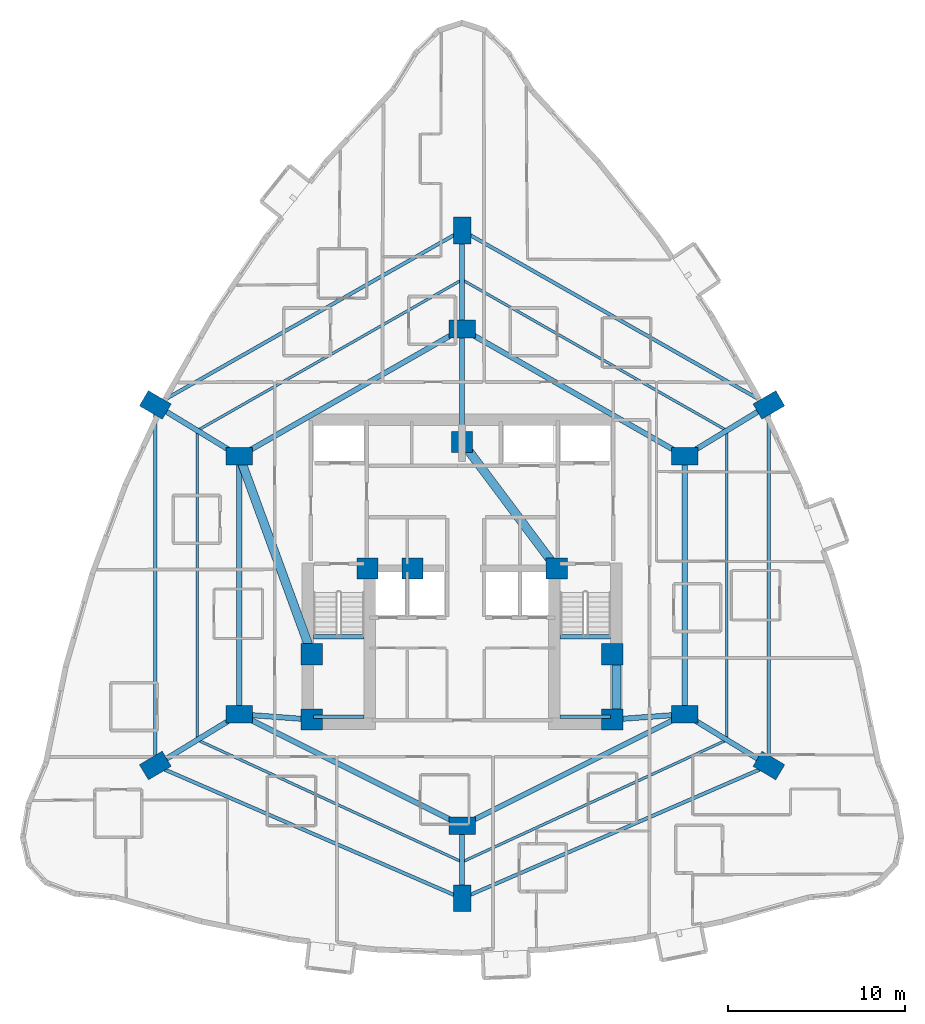
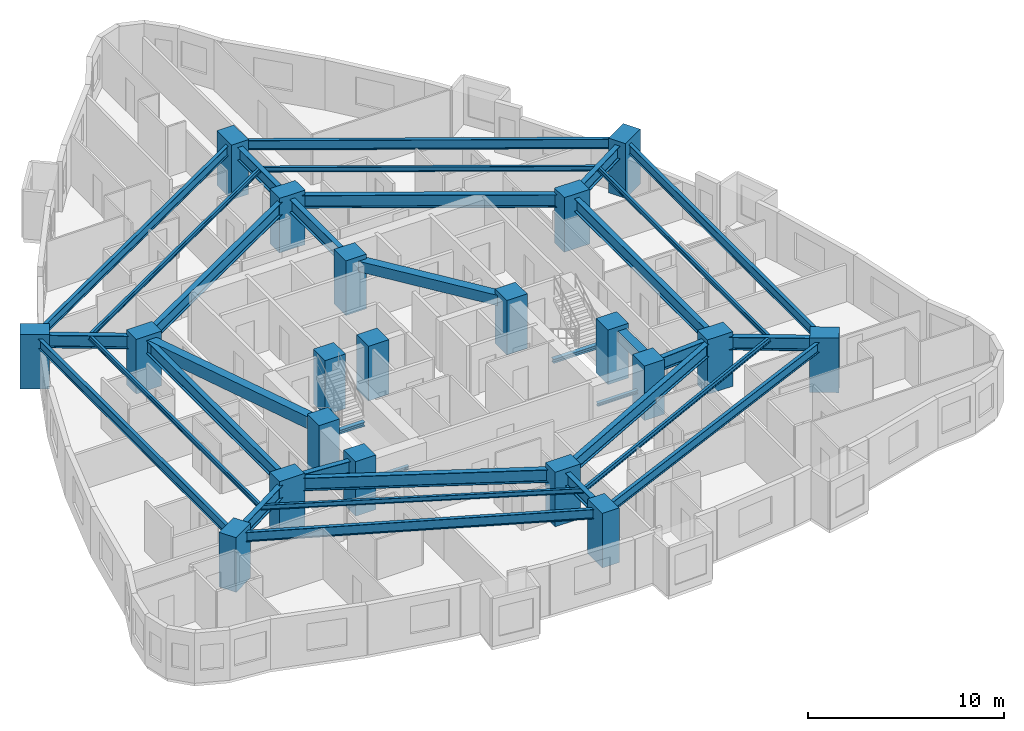
# One storey, part 1 of 16: 34 beams, 20 columns.
"""IFC4 building model written with IfcOpenShell, lengths in metres."""

from ifc_helpers import new_model, si_unit, direction, frame, origin, origin_2d, place, context, subcontext, project, spatial, rectangle, i_section, extrude, material, material_profile, profile_set, type_object, element, save


model = new_model("IFC4")

# Units and contexts
model_context = context("Model", 3, precision=1e-05, world=origin(), true_north=direction((0.0, 1.0)))
body_context = subcontext(model_context, "Body", "Model", "MODEL_VIEW")
ifc_project = project(units=[si_unit("LENGTHUNIT", "METRE"), si_unit("AREAUNIT", "SQUARE_METRE"), si_unit("VOLUMEUNIT", "CUBIC_METRE"), si_unit("PLANEANGLEUNIT", "RADIAN"), si_unit("MASSUNIT", "GRAM", prefix="KILO")], contexts=[model_context])

# Site, building, storey
site_placement = place(None, origin())
site = spatial("IfcSite", under=ifc_project, at=site_placement, CompositionType="ELEMENT")
building_placement = place(site_placement, origin())
building = spatial("IfcBuilding", under=site, at=building_placement, Name="Miruveldt Soraemaru", CompositionType="ELEMENT")
storey_placement = place(building_placement, frame((0.0, 0.0, 42.800048828125)))
storey = spatial("IfcBuildingStorey", under=building, at=storey_placement, Name="L11", CompositionType="ELEMENT", Elevation=42.800048828125)

# Columns
ifc_material_1 = material(Name="Concrete C70/85 (70 MPa)", Category="concrete")
ifc_material_profile_1 = material_profile(ifc_material_1, rectangle(XDim=1.199951171875, YDim=1.199951171875, at=origin_2d()), Name="Concrete C70/85 (70 MPa)", Category="concrete")
ifc_profile_set_1 = profile_set([ifc_material_profile_1], Name="Concrete C70/85 (70 MPa)")
column_type_1 = type_object("IfcColumnType", Name="COL-CORE-1200", PredefinedType="COLUMN", material=ifc_profile_set_1)
for number, where, z_axis, x_axis, name in (
    (1, (35.5, 35.5, 0.0), (0.0, 0.0, 1.0), (1.0, 0.0, 0.0), "L11 Structural Column CC1"),
    (2, (38.64990234375, 44.050048828125, 0.0), (0.0, 0.0, 1.0), (1.0, 0.0, 0.0), "L11 Structural Column CC2"),
    (3, (52.5, 35.5, 0.0), (0.0, 0.0, 1.0), (1.0, 0.0, 0.0), "L11 Structural Column CC3"),
    (4, (52.5, 39.199951171875, 0.0), (0.0, 0.0, 1.0), (1.0, 0.0, 0.0), "L11 Structural Column CC4"),
    (5, (49.35009765625, 44.050048828125, 0.0), (0.0, 0.0, 1.0), (1.0, 0.0, 0.0), "L11 Structural Column CC5"),
    (6, (44.0, 51.199951171875, 0.0), (0.0, 0.0, 1.0), (1.0, 0.0, 0.0), "L11 Structural Column CC6"),
    (7, (35.5, 39.199951171875, 0.0), (0.0, 0.0, 1.0), (1.0, 0.0, 0.0), "L11 Structural Column CC7"),
    (8, (41.199951171875, 44.050048828125, 0.0), (0.0, 0.0, 1.0), (1.0, 0.0, 0.0), "L11 Structural Column CC8"),
):
    element("IfcColumn", number, at=place(storey_placement, frame(where, z_axis=z_axis, x_axis=x_axis)), inside=storey, type_object=column_type_1, Name=name, PredefinedType="COLUMN", context=body_context, shape_type="SweptSolid", body=[
        extrude(rectangle(XDim=1.199951171875, YDim=1.199951171875, at=origin_2d()), origin(), (0.0, 0.0, 1.0), 3.39990234375),
    ])
ifc_material_2 = material(Name="Concrete C80/95 (80 MPa)", Category="concrete")
ifc_material_profile_2 = material_profile(ifc_material_2, rectangle(XDim=1.5, YDim=1.0, at=origin_2d()), Name="Concrete C80/95 (80 MPa)", Category="concrete")
ifc_profile_set_2 = profile_set([ifc_material_profile_2], Name="Concrete C80/95 (80 MPa)")
column_type_2 = type_object("IfcColumnType", Name="COL-TW-Z1A", PredefinedType="COLUMN", material=ifc_profile_set_2)
for number, where, z_axis, x_axis, name in (
    (9, (44.0, 57.60009765625, 0.0), (0.0, 0.0, 1.0), (1.0, 0.0, 0.0), "L11 Structural Column IR01"),
    (10, (56.60009765625, 50.39990234375, 0.0), (0.0, 0.0, 1.0), (1.0, 0.0, 0.0), "L11 Structural Column IR02"),
    (11, (56.60009765625, 35.800048828125, 0.0), (0.0, 0.0, 1.0), (1.0, 0.0, 0.0), "L11 Structural Column IR03"),
    (12, (44.0, 29.5, 0.0), (0.0, 0.0, 1.0), (1.0, 0.0, 0.0), "L11 Structural Column IR04"),
    (13, (31.39990234375, 35.800048828125, 0.0), (0.0, 0.0, 1.0), (1.0, 0.0, 0.0), "L11 Structural Column IR05"),
    (14, (31.39990234375, 50.39990234375, 0.0), (0.0, 0.0, 1.0), (1.0, 0.0, 0.0), "L11 Structural Column IR06"),
    (15, (44.0, 63.16796875, 0.0), (0.0, 0.0, 1.0), (0.0, 1.0, 0.0), "L11 Structural Column Z1P01"),
    (16, (61.35595703125, 53.300048828125, 0.0), (0.0, 0.0, 1.0), (0.864274801954, 0.50301994663, 0.0), "L11 Structural Column Z1P02"),
    (17, (61.35595703125, 32.89990234375, 0.0), (0.0, 0.0, 1.0), (-0.859852271597, 0.510542917912, 0.0), "L11 Structural Column Z1P03"),
    (18, (44.0, 25.382080078125, 0.0), (0.0, 0.0, 1.0), (0.0, 1.0, 0.0), "L11 Structural Column Z1P04"),
    (19, (26.64404296875, 32.89990234375, 0.0), (0.0, 0.0, 1.0), (0.859852271597, 0.510542917912, 0.0), "L11 Structural Column Z1P05"),
    (20, (26.64404296875, 53.300048828125, 0.0), (0.0, 0.0, 1.0), (-0.864274801954, 0.50301994663, 0.0), "L11 Structural Column Z1P06"),
):
    element("IfcColumn", number, at=place(storey_placement, frame(where, z_axis=z_axis, x_axis=x_axis)), inside=storey, type_object=column_type_2, Name=name, PredefinedType="COLUMN", context=body_context, shape_type="SweptSolid", body=[
        extrude(rectangle(XDim=1.5, YDim=1.0, at=origin_2d()), origin(), (0.0, 0.0, 1.0), 3.39990234375),
    ])

# Beams
ifc_material_3 = material(Name="Concrete C50/60 (50 MPa)", Category="concrete")
ifc_material_profile_3 = material_profile(ifc_material_3, rectangle(XDim=0.5, YDim=0.64990234375, at=origin_2d()), Name="Concrete C50/60 (50 MPa)", Category="concrete")
ifc_profile_set_3 = profile_set([ifc_material_profile_3], Name="Concrete C50/60 (50 MPa)")
beam_type_1 = type_object("IfcBeamType", Name="BM-RC-500x650", PredefinedType="BEAM", material=ifc_profile_set_3)
beam_1_placement = place(storey_placement, frame((52.72998046875, 35.5, 2.800048828125), z_axis=(0.0, 1.0, 0.0), x_axis=(-1.0, 0.0, 0.0)))
element("IfcBeam", 21, at=beam_1_placement, inside=storey, type_object=beam_type_1, Name="L11 Core Tie Beam 3", PredefinedType="BEAM", context=body_context, shape_type="SweptSolid", body=[
    extrude(rectangle(XDim=0.5, YDim=0.64990234375, at=origin_2d()), origin(), (0.0, 0.0, 1.0), 3.699951171875),
])
beam_2_placement = place(storey_placement, frame((49.35009765625, 44.050048828125, 2.800048828125), z_axis=(-0.599116023999, 0.800662219533, 0.0), x_axis=(-0.800662219533, -0.599116023999, 0.0)))
element("IfcBeam", 22, at=beam_2_placement, inside=storey, type_object=beam_type_1, Name="L11 Core Tie Beam 5", PredefinedType="BEAM", context=body_context, shape_type="SweptSolid", body=[
    extrude(rectangle(XDim=0.5, YDim=0.64990234375, at=origin_2d()), origin(), (0.0, 0.0, 1.0), 8.929931640625),
])
ifc_material_4 = material(Name="Concrete C40/50 (40 MPa)", Category="concrete")
ifc_material_profile_4 = material_profile(ifc_material_4, rectangle(XDim=0.5, YDim=0.75, at=origin_2d()), Name="Concrete C40/50 (40 MPa)", Category="concrete")
ifc_profile_set_4 = profile_set([ifc_material_profile_4], Name="Concrete C40/50 (40 MPa)")
beam_type_2 = type_object("IfcBeamType", Name="BM-RC-500x750", PredefinedType="LINTEL", material=ifc_profile_set_4)
beam_3_placement = place(storey_placement, frame((31.39990234375, 50.39990234375, 2.75), z_axis=(0.343770424598, -0.939053723262, 0.0), x_axis=(0.939053723262, 0.343770424598, 0.0)))
element("IfcBeam", 23, at=beam_3_placement, inside=storey, type_object=beam_type_2, Name="L11 West Lobby Lintel", PredefinedType="LINTEL", context=body_context, shape_type="SweptSolid", body=[
    extrude(rectangle(XDim=0.5, YDim=0.75, at=origin_2d()), origin(), (0.0, 0.0, 1.0), 11.9267578125),
])
ifc_material_5 = material(Name="Steel SM355 (355 MPa)", Category="steel")
ifc_material_profile_5 = material_profile(ifc_material_5, i_section(OverallWidth=0.14990234375, OverallDepth=0.300048828125, WebThickness=0.006591796875, FlangeThickness=0.009033203125, FilletRadius=0.012939453125, at=origin_2d()), Name="Steel SM355 (355 MPa)", Category="steel")
ifc_profile_set_5 = profile_set([ifc_material_profile_5], Name="Steel SM355 (355 MPa)")
beam_type_3 = type_object("IfcBeamType", Name="BM-ST-H300", PredefinedType="JOIST", material=ifc_profile_set_5)
beam_4_placement = place(storey_placement, frame((44.0, 60.384033203125, 2.974853515625), z_axis=(0.868865604585, -0.495048039254, 0.0), x_axis=(0.495048039254, 0.868865604585, 0.0)))
element("IfcBeam", 24, at=beam_4_placement, inside=storey, type_object=beam_type_3, Name="L11 Outer Bay Floor Joist 1", PredefinedType="JOIST", context=body_context, shape_type="SweptSolid", body=[
    extrude(i_section(OverallWidth=0.14990234375, OverallDepth=0.300048828125, WebThickness=0.006591796875, FlangeThickness=0.009033203125, FilletRadius=0.012939453125, at=origin_2d()), origin(), (0.0, 0.0, 1.0), 17.238525390625),
])
beam_5_placement = place(storey_placement, frame((58.97802734375, 51.85009765625, 2.974853515625), z_axis=(0.0, -1.0, 0.0), x_axis=(1.0, 0.0, 0.0)))
element("IfcBeam", 25, at=beam_5_placement, inside=storey, type_object=beam_type_3, Name="L11 Outer Bay Floor Joist 2", PredefinedType="JOIST", context=body_context, shape_type="SweptSolid", body=[
    extrude(i_section(OverallWidth=0.14990234375, OverallDepth=0.300048828125, WebThickness=0.006591796875, FlangeThickness=0.009033203125, FilletRadius=0.012939453125, at=origin_2d()), origin(), (0.0, 0.0, 1.0), 17.5),
])
for number, where, z_axis, x_axis, name in (
    (26, (58.97802734375, 34.35009765625, 2.974853515625), (-0.908046005539, -0.418870447543, 0.0), (0.418870447543, -0.908046005539, 0.0), "L11 Outer Bay Floor Joist 3"),
    (27, (44.0, 27.44091796875, 2.974853515625), (-0.908046005539, 0.418870447543, 0.0), (-0.418870447543, -0.908046005539, 0.0), "L11 Outer Bay Floor Joist 4"),
):
    element("IfcBeam", number, at=place(storey_placement, frame(where, z_axis=z_axis, x_axis=x_axis)), inside=storey, type_object=beam_type_3, Name=name, PredefinedType="JOIST", context=body_context, shape_type="SweptSolid", body=[
        extrude(i_section(OverallWidth=0.14990234375, OverallDepth=0.300048828125, WebThickness=0.006591796875, FlangeThickness=0.009033203125, FilletRadius=0.012939453125, at=origin_2d()), origin(), (0.0, 0.0, 1.0), 16.494873046875),
    ])
beam_6_placement = place(storey_placement, frame((29.02197265625, 34.35009765625, 2.974853515625), z_axis=(0.0, 1.0, 0.0), x_axis=(-1.0, 0.0, 0.0)))
element("IfcBeam", 28, at=beam_6_placement, inside=storey, type_object=beam_type_3, Name="L11 Outer Bay Floor Joist 5", PredefinedType="JOIST", context=body_context, shape_type="SweptSolid", body=[
    extrude(i_section(OverallWidth=0.14990234375, OverallDepth=0.300048828125, WebThickness=0.006591796875, FlangeThickness=0.009033203125, FilletRadius=0.012939453125, at=origin_2d()), origin(), (0.0, 0.0, 1.0), 17.5),
])
beam_7_placement = place(storey_placement, frame((29.02197265625, 51.85009765625, 2.974853515625), z_axis=(0.868865604585, 0.495048039254, 0.0), x_axis=(-0.495048039254, 0.868865604585, 0.0)))
element("IfcBeam", 29, at=beam_7_placement, inside=storey, type_object=beam_type_3, Name="L11 Outer Bay Floor Joist 6", PredefinedType="JOIST", context=body_context, shape_type="SweptSolid", body=[
    extrude(i_section(OverallWidth=0.14990234375, OverallDepth=0.300048828125, WebThickness=0.006591796875, FlangeThickness=0.009033203125, FilletRadius=0.012939453125, at=origin_2d()), origin(), (0.0, 0.0, 1.0), 17.238525390625),
])
ifc_material_profile_6 = material_profile(ifc_material_5, i_section(OverallWidth=0.199951171875, OverallDepth=0.60009765625, WebThickness=0.010986328125, FlangeThickness=0.01708984375, FilletRadius=0.02197265625, at=origin_2d()), Name="Steel SM355 (355 MPa)", Category="steel")
ifc_profile_set_6 = profile_set([ifc_material_profile_6], Name="Steel SM355 (355 MPa)")
beam_type_4 = type_object("IfcBeamType", Name="BM-ST-H600", PredefinedType="SPANDREL", material=ifc_profile_set_6)
beam_8_placement = place(storey_placement, frame((44.0, 63.16796875, 2.824951171875), z_axis=(0.869314947608, -0.494258557706, 0.0), x_axis=(0.494258557706, 0.869314947608, 0.0)))
element("IfcBeam", 30, at=beam_8_placement, inside=storey, type_object=beam_type_4, Name="L11 Zone-1 Spandrel Beam 1", PredefinedType="SPANDREL", context=body_context, shape_type="SweptSolid", body=[
    extrude(i_section(OverallWidth=0.199951171875, OverallDepth=0.60009765625, WebThickness=0.010986328125, FlangeThickness=0.01708984375, FilletRadius=0.02197265625, at=origin_2d()), origin(), (0.0, 0.0, 1.0), 19.965087890625),
])
beam_9_placement = place(storey_placement, frame((61.35595703125, 53.300048828125, 2.824951171875), z_axis=(0.0, -1.0, 0.0), x_axis=(1.0, 0.0, 0.0)))
element("IfcBeam", 31, at=beam_9_placement, inside=storey, type_object=beam_type_4, Name="L11 Zone-1 Spandrel Beam 2", PredefinedType="SPANDREL", context=body_context, shape_type="SweptSolid", body=[
    extrude(i_section(OverallWidth=0.199951171875, OverallDepth=0.60009765625, WebThickness=0.010986328125, FlangeThickness=0.01708984375, FilletRadius=0.02197265625, at=origin_2d()), origin(), (0.0, 0.0, 1.0), 20.400146484375),
])
for number, where, z_axis, x_axis, name in (
    (32, (61.35595703125, 32.89990234375, 2.824951171875), (-0.917615263736, -0.397469782195, 0.0), (0.397469782195, -0.917615263736, 0.0), "L11 Zone-1 Spandrel Beam 3"),
    (33, (44.0, 25.382080078125, 2.824951171875), (-0.917615263736, 0.397469782195, 0.0), (-0.397469782195, -0.917615263736, 0.0), "L11 Zone-1 Spandrel Beam 4"),
):
    element("IfcBeam", number, at=place(storey_placement, frame(where, z_axis=z_axis, x_axis=x_axis)), inside=storey, type_object=beam_type_4, Name=name, PredefinedType="SPANDREL", context=body_context, shape_type="SweptSolid", body=[
        extrude(i_section(OverallWidth=0.199951171875, OverallDepth=0.60009765625, WebThickness=0.010986328125, FlangeThickness=0.01708984375, FilletRadius=0.02197265625, at=origin_2d()), origin(), (0.0, 0.0, 1.0), 18.914306640625),
    ])
beam_10_placement = place(storey_placement, frame((26.64404296875, 32.89990234375, 2.824951171875), z_axis=(0.0, 1.0, 0.0), x_axis=(-1.0, 0.0, 0.0)))
element("IfcBeam", 34, at=beam_10_placement, inside=storey, type_object=beam_type_4, Name="L11 Zone-1 Spandrel Beam 5", PredefinedType="SPANDREL", context=body_context, shape_type="SweptSolid", body=[
    extrude(i_section(OverallWidth=0.199951171875, OverallDepth=0.60009765625, WebThickness=0.010986328125, FlangeThickness=0.01708984375, FilletRadius=0.02197265625, at=origin_2d()), origin(), (0.0, 0.0, 1.0), 20.400146484375),
])
beam_11_placement = place(storey_placement, frame((26.64404296875, 53.300048828125, 2.824951171875), z_axis=(0.869314947608, 0.494258557706, 0.0), x_axis=(-0.494258557706, 0.869314947608, 0.0)))
element("IfcBeam", 35, at=beam_11_placement, inside=storey, type_object=beam_type_4, Name="L11 Zone-1 Spandrel Beam 6", PredefinedType="SPANDREL", context=body_context, shape_type="SweptSolid", body=[
    extrude(i_section(OverallWidth=0.199951171875, OverallDepth=0.60009765625, WebThickness=0.010986328125, FlangeThickness=0.01708984375, FilletRadius=0.02197265625, at=origin_2d()), origin(), (0.0, 0.0, 1.0), 19.965087890625),
])
ifc_material_6 = material(Name="Steel S460 (460 MPa)", Category="steel")
ifc_material_profile_7 = material_profile(ifc_material_6, i_section(OverallWidth=0.300048828125, OverallDepth=0.800048828125, WebThickness=0.013916015625, FlangeThickness=0.02587890625, FilletRadius=0.028076171875, at=origin_2d()), Name="Steel S460 (460 MPa)", Category="steel")
ifc_profile_set_7 = profile_set([ifc_material_profile_7], Name="Steel S460 (460 MPa)")
beam_type_5 = type_object("IfcBeamType", Name="BM-ST-H800", PredefinedType="BEAM", material=ifc_profile_set_7)
beam_12_placement = place(storey_placement, frame((44.0, 57.60009765625, 2.724853515625), z_axis=(0.868239001029, -0.496146185203, 0.0), x_axis=(0.496146185203, 0.868239001029, 0.0)))
element("IfcBeam", 36, at=beam_12_placement, inside=storey, type_object=beam_type_5, Name="L11 Inner Ring Girder 1", PredefinedType="BEAM", context=body_context, shape_type="SweptSolid", body=[
    extrude(i_section(OverallWidth=0.300048828125, OverallDepth=0.800048828125, WebThickness=0.013916015625, FlangeThickness=0.02587890625, FilletRadius=0.028076171875, at=origin_2d()), origin(), (0.0, 0.0, 1.0), 14.51220703125),
])
beam_13_placement = place(storey_placement, frame((44.0, 51.199951171875, 2.724853515625), z_axis=(0.0, 1.0, 0.0), x_axis=(-1.0, 0.0, 0.0)))
element("IfcBeam", 37, at=beam_13_placement, inside=storey, type_object=beam_type_5, Name="L11 Core-to-Inner Radial Girder 1", PredefinedType="BEAM", context=body_context, shape_type="SweptSolid", body=[
    extrude(i_section(OverallWidth=0.300048828125, OverallDepth=0.800048828125, WebThickness=0.013916015625, FlangeThickness=0.02587890625, FilletRadius=0.028076171875, at=origin_2d()), origin(), (0.0, 0.0, 1.0), 6.400146484375),
])
beam_14_placement = place(storey_placement, frame((56.60009765625, 50.39990234375, 2.724853515625), z_axis=(0.0, -1.0, 0.0), x_axis=(1.0, 0.0, 0.0)))
element("IfcBeam", 38, at=beam_14_placement, inside=storey, type_object=beam_type_5, Name="L11 Inner Ring Girder 2", PredefinedType="BEAM", context=body_context, shape_type="SweptSolid", body=[
    extrude(i_section(OverallWidth=0.300048828125, OverallDepth=0.800048828125, WebThickness=0.013916015625, FlangeThickness=0.02587890625, FilletRadius=0.028076171875, at=origin_2d()), origin(), (0.0, 0.0, 1.0), 14.599853515625),
])
beam_15_placement = place(storey_placement, frame((56.60009765625, 35.800048828125, 2.724853515625), z_axis=(-0.894427191, -0.4472135955, 0.0), x_axis=(0.4472135955, -0.894427191, 0.0)))
element("IfcBeam", 39, at=beam_15_placement, inside=storey, type_object=beam_type_5, Name="L11 Inner Ring Girder 3", PredefinedType="BEAM", context=body_context, shape_type="SweptSolid", body=[
    extrude(i_section(OverallWidth=0.300048828125, OverallDepth=0.800048828125, WebThickness=0.013916015625, FlangeThickness=0.02587890625, FilletRadius=0.028076171875, at=origin_2d()), origin(), (0.0, 0.0, 1.0), 14.08740234375),
])
beam_16_placement = place(storey_placement, frame((52.5, 35.5, 2.724853515625), z_axis=(0.997332985605, 0.072985723431, 0.0), x_axis=(-0.072985723431, 0.997332985605, 0.0)))
element("IfcBeam", 40, at=beam_16_placement, inside=storey, type_object=beam_type_5, Name="L11 Core-to-Inner Radial Girder 3", PredefinedType="BEAM", context=body_context, shape_type="SweptSolid", body=[
    extrude(i_section(OverallWidth=0.300048828125, OverallDepth=0.800048828125, WebThickness=0.013916015625, FlangeThickness=0.02587890625, FilletRadius=0.028076171875, at=origin_2d()), origin(), (0.0, 0.0, 1.0), 4.111083984375),
])
beam_17_placement = place(storey_placement, frame((44.0, 29.5, 2.724853515625), z_axis=(-0.894427191, 0.4472135955, 0.0), x_axis=(-0.4472135955, -0.894427191, 0.0)))
element("IfcBeam", 41, at=beam_17_placement, inside=storey, type_object=beam_type_5, Name="L11 Inner Ring Girder 4", PredefinedType="BEAM", context=body_context, shape_type="SweptSolid", body=[
    extrude(i_section(OverallWidth=0.300048828125, OverallDepth=0.800048828125, WebThickness=0.013916015625, FlangeThickness=0.02587890625, FilletRadius=0.028076171875, at=origin_2d()), origin(), (0.0, 0.0, 1.0), 14.08740234375),
])
beam_18_placement = place(storey_placement, frame((31.39990234375, 35.800048828125, 2.724853515625), z_axis=(0.0, 1.0, 0.0), x_axis=(-1.0, 0.0, 0.0)))
element("IfcBeam", 42, at=beam_18_placement, inside=storey, type_object=beam_type_5, Name="L11 Inner Ring Girder 5", PredefinedType="BEAM", context=body_context, shape_type="SweptSolid", body=[
    extrude(i_section(OverallWidth=0.300048828125, OverallDepth=0.800048828125, WebThickness=0.013916015625, FlangeThickness=0.02587890625, FilletRadius=0.028076171875, at=origin_2d()), origin(), (0.0, 0.0, 1.0), 14.599853515625),
])
beam_19_placement = place(storey_placement, frame((35.5, 35.5, 2.724853515625), z_axis=(-0.997332985605, 0.072985723431, 0.0), x_axis=(-0.072985723431, -0.997332985605, 0.0)))
element("IfcBeam", 43, at=beam_19_placement, inside=storey, type_object=beam_type_5, Name="L11 Core-to-Inner Radial Girder 5", PredefinedType="BEAM", context=body_context, shape_type="SweptSolid", body=[
    extrude(i_section(OverallWidth=0.300048828125, OverallDepth=0.800048828125, WebThickness=0.013916015625, FlangeThickness=0.02587890625, FilletRadius=0.028076171875, at=origin_2d()), origin(), (0.0, 0.0, 1.0), 4.111083984375),
])
beam_20_placement = place(storey_placement, frame((31.39990234375, 50.39990234375, 2.724853515625), z_axis=(0.868239001029, 0.496146185203, 0.0), x_axis=(-0.496146185203, 0.868239001029, 0.0)))
element("IfcBeam", 44, at=beam_20_placement, inside=storey, type_object=beam_type_5, Name="L11 Inner Ring Girder 6", PredefinedType="BEAM", context=body_context, shape_type="SweptSolid", body=[
    extrude(i_section(OverallWidth=0.300048828125, OverallDepth=0.800048828125, WebThickness=0.013916015625, FlangeThickness=0.02587890625, FilletRadius=0.028076171875, at=origin_2d()), origin(), (0.0, 0.0, 1.0), 14.51220703125),
])
beam_21_placement = place(storey_placement, frame((44.0, 57.60009765625, 2.724853515625), z_axis=(0.0, 1.0, 0.0), x_axis=(-1.0, 0.0, 0.0)))
element("IfcBeam", 45, at=beam_21_placement, inside=storey, type_object=beam_type_5, Name="L11 Zone-1 Radial Girder 1", PredefinedType="BEAM", context=body_context, shape_type="SweptSolid", body=[
    extrude(i_section(OverallWidth=0.300048828125, OverallDepth=0.800048828125, WebThickness=0.013916015625, FlangeThickness=0.02587890625, FilletRadius=0.028076171875, at=origin_2d()), origin(), (0.0, 0.0, 1.0), 5.56787109375),
])
for number, where, z_axis, x_axis, name in (
    (46, (56.60009765625, 50.39990234375, 2.724853515625), (0.853777644156, 0.520637814935, 0.0), (-0.520637814935, 0.853777644156, 0.0), "L11 Zone-1 Radial Girder 2"),
    (47, (56.60009765625, 35.800048828125, 2.724853515625), (0.853777644156, -0.520637814935, 0.0), (0.520637814935, 0.853777644156, 0.0), "L11 Zone-1 Radial Girder 3"),
):
    element("IfcBeam", number, at=place(storey_placement, frame(where, z_axis=z_axis, x_axis=x_axis)), inside=storey, type_object=beam_type_5, Name=name, PredefinedType="BEAM", context=body_context, shape_type="SweptSolid", body=[
        extrude(i_section(OverallWidth=0.300048828125, OverallDepth=0.800048828125, WebThickness=0.013916015625, FlangeThickness=0.02587890625, FilletRadius=0.028076171875, at=origin_2d()), origin(), (0.0, 0.0, 1.0), 5.5703125),
    ])
beam_22_placement = place(storey_placement, frame((44.0, 29.5, 2.724853515625), z_axis=(0.0, -1.0, 0.0), x_axis=(1.0, 0.0, 0.0)))
element("IfcBeam", 48, at=beam_22_placement, inside=storey, type_object=beam_type_5, Name="L11 Zone-1 Radial Girder 4", PredefinedType="BEAM", context=body_context, shape_type="SweptSolid", body=[
    extrude(i_section(OverallWidth=0.300048828125, OverallDepth=0.800048828125, WebThickness=0.013916015625, FlangeThickness=0.02587890625, FilletRadius=0.028076171875, at=origin_2d()), origin(), (0.0, 0.0, 1.0), 4.117919921875),
])
for number, where, z_axis, x_axis, name in (
    (49, (31.39990234375, 35.800048828125, 2.724853515625), (-0.853777644156, -0.520637814935, 0.0), (0.520637814935, -0.853777644156, 0.0), "L11 Zone-1 Radial Girder 5"),
    (50, (31.39990234375, 50.39990234375, 2.724853515625), (-0.853777644156, 0.520637814935, 0.0), (-0.520637814935, -0.853777644156, 0.0), "L11 Zone-1 Radial Girder 6"),
):
    element("IfcBeam", number, at=place(storey_placement, frame(where, z_axis=z_axis, x_axis=x_axis)), inside=storey, type_object=beam_type_5, Name=name, PredefinedType="BEAM", context=body_context, shape_type="SweptSolid", body=[
        extrude(i_section(OverallWidth=0.300048828125, OverallDepth=0.800048828125, WebThickness=0.013916015625, FlangeThickness=0.02587890625, FilletRadius=0.028076171875, at=origin_2d()), origin(), (0.0, 0.0, 1.0), 5.5703125),
    ])
ifc_material_profile_8 = material_profile(ifc_material_5, i_section(OverallWidth=0.199951171875, OverallDepth=0.199951171875, WebThickness=0.008056640625, FlangeThickness=0.011962890625, FilletRadius=0.012939453125, at=origin_2d()), Name="Steel SM355 (355 MPa)", Category="steel")
ifc_profile_set_8 = profile_set([ifc_material_profile_8], Name="Steel SM355 (355 MPa)")
beam_type_6 = type_object("IfcBeamType", Name="BM-ST-LND200", PredefinedType="BEAM", material=ifc_profile_set_8)
for number, where, z_axis, x_axis, name in (
    (51, (35.60009765625, 35.64990234375, 1.39990234375), (1.0, 0.0, 0.0), (0.0, 1.0, 0.0), "L11 ST1 Landing End Beam 1B"),
    (52, (49.550048828125, 35.64990234375, 1.39990234375), (1.0, 0.0, 0.0), (0.0, 1.0, 0.0), "L11 ST2 Landing End Beam 1B"),
):
    element("IfcBeam", number, at=place(storey_placement, frame(where, z_axis=z_axis, x_axis=x_axis)), inside=storey, type_object=beam_type_6, Name=name, PredefinedType="BEAM", context=body_context, shape_type="SweptSolid", body=[
        extrude(i_section(OverallWidth=0.199951171875, OverallDepth=0.199951171875, WebThickness=0.008056640625, FlangeThickness=0.011962890625, FilletRadius=0.012939453125, at=origin_2d()), origin(), (0.0, 0.0, 1.0), 2.849853515625),
    ])
ifc_material_profile_9 = material_profile(ifc_material_5, i_section(OverallWidth=0.25, OverallDepth=0.25, WebThickness=0.009033203125, FlangeThickness=0.013916015625, FilletRadius=0.01611328125, at=origin_2d()), Name="Steel SM355 (355 MPa)", Category="steel")
ifc_profile_set_9 = profile_set([ifc_material_profile_9], Name="Steel SM355 (355 MPa)")
beam_type_7 = type_object("IfcBeamType", Name="BM-ST-LND250", PredefinedType="BEAM", material=ifc_profile_set_9)
for number, where, z_axis, x_axis, name in (
    (53, (35.60009765625, 40.179931640625, 1.375), (1.0, 0.0, 0.0), (0.0, 1.0, 0.0), "L11 ST1 Landing Support Beam 1A"),
    (54, (49.550048828125, 40.179931640625, 1.375), (1.0, 0.0, 0.0), (0.0, 1.0, 0.0), "L11 ST2 Landing Support Beam 1A"),
):
    element("IfcBeam", number, at=place(storey_placement, frame(where, z_axis=z_axis, x_axis=x_axis)), inside=storey, type_object=beam_type_7, Name=name, PredefinedType="BEAM", context=body_context, shape_type="SweptSolid", body=[
        extrude(i_section(OverallWidth=0.25, OverallDepth=0.25, WebThickness=0.009033203125, FlangeThickness=0.013916015625, FilletRadius=0.01611328125, at=origin_2d()), origin(), (0.0, 0.0, 1.0), 2.849853515625),
    ])

save(model, "model.ifc")
